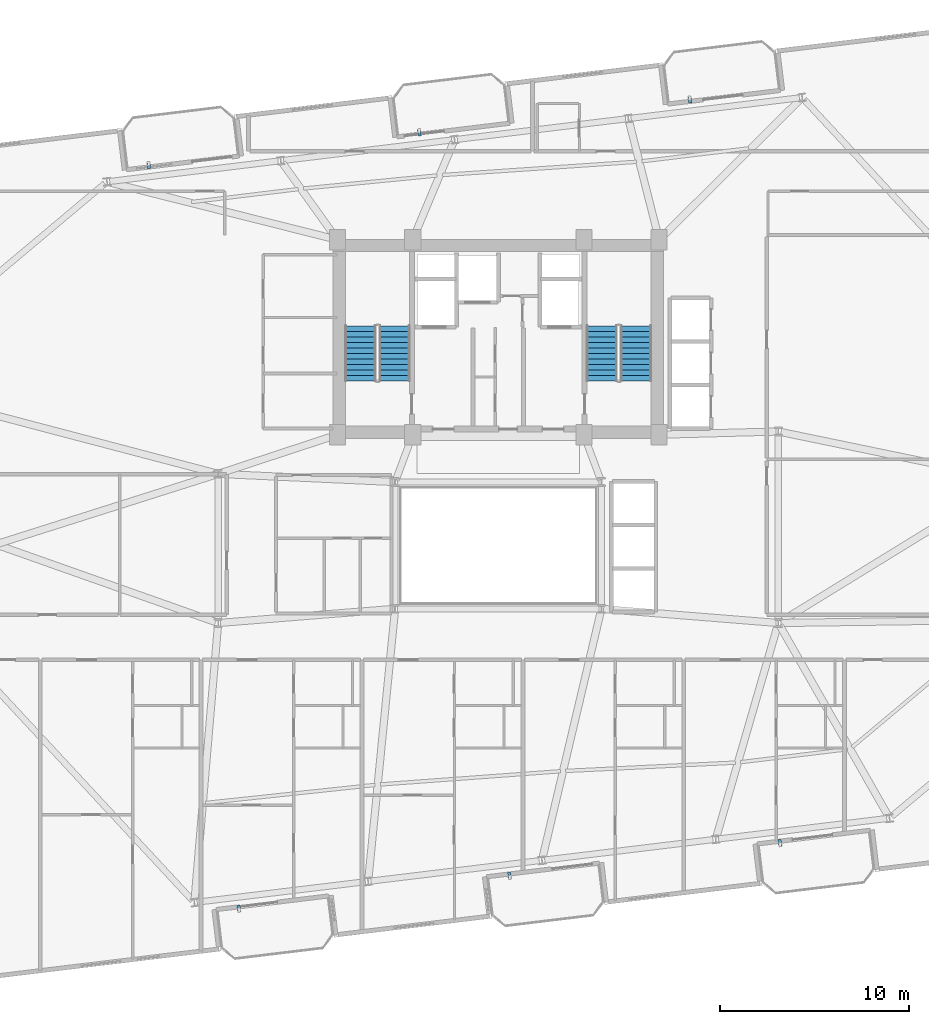
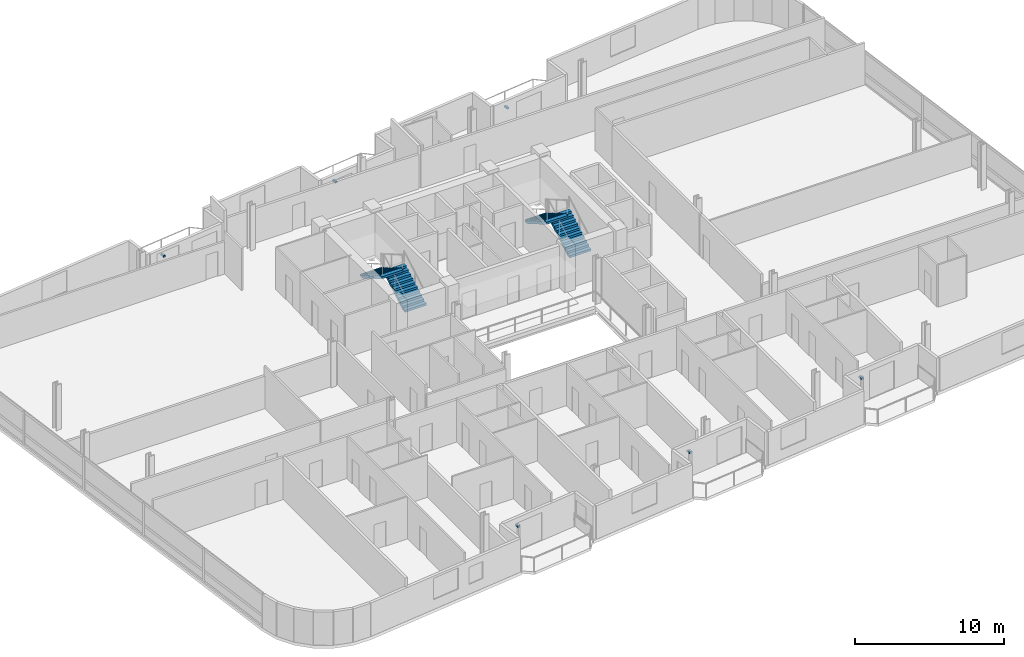
# One storey, part 19 of 23: 6 discrete accessories, 4 stair flights, 2 elements without a shape of their own.
"""IFC4 building model written with IfcOpenShell, lengths in metres."""

from ifc_helpers import new_model, si_unit, direction, frame, origin, origin_2d, place, context, subcontext, project, spatial, polyline, rectangle, outline, extrude, source, transform, mapped, material, type_object, element, aggregate, save


model = new_model("IFC4")

# Units and contexts
model_context = context("Model", 3, precision=1e-05, world=origin(), true_north=direction((0.0, 1.0)))
body_context = subcontext(model_context, "Body", "Model", "MODEL_VIEW")
ifc_project = project(units=[si_unit("LENGTHUNIT", "METRE"), si_unit("AREAUNIT", "SQUARE_METRE"), si_unit("VOLUMEUNIT", "CUBIC_METRE"), si_unit("PLANEANGLEUNIT", "RADIAN"), si_unit("MASSUNIT", "GRAM", prefix="KILO")], contexts=[model_context])

# Site, building, storey
site_placement = place(None, origin())
site = spatial("IfcSite", under=ifc_project, at=site_placement, CompositionType="ELEMENT")
building_placement = place(site_placement, origin())
building = spatial("IfcBuilding", under=site, at=building_placement, Name="Varnelok Gate Tower", CompositionType="ELEMENT")
storey_placement = place(building_placement, frame((0.0, 0.0, 189.39990234375)))
storey = spatial("IfcBuildingStorey", under=building, at=storey_placement, Name="L48", CompositionType="ELEMENT", Elevation=189.39990234375)

# Stair, stair flights
ifc_material_1 = material(Name="Concrete C50/60", Category="concrete")
stair_type = type_object("IfcStairType", Name="STR-CORE-1650", PredefinedType="HALF_TURN_STAIR", material=ifc_material_1)
stair_1_placement = place(storey_placement, origin())
stair_1 = element("IfcStair", 1, at=stair_1_placement, inside=storey, type_object=stair_type, Name="L48 Exit Stair ST-1", PredefinedType="HALF_TURN_STAIR")
stair_flight_type = type_object("IfcStairFlightType", Name="SFL-CORE-1650", PredefinedType="STRAIGHT", material=ifc_material_1)
stair_flight_1_placement = place(storey_placement, frame((33.72509765625, 31.60009765625, 0.0), z_axis=(0.0, 0.0, 1.0), x_axis=(0.0, 1.0, 0.0)))
stair_flight_1 = element("IfcStairFlight", 2, at=stair_flight_1_placement, type_object=stair_flight_type, Name="ST-1 flight 1", NumberOfRisers=11, NumberOfTreads=10, PredefinedType="STRAIGHT", RiserHeight=0.168181818, TreadLength=0.29, context=body_context, shape_type="SweptSolid", body=[
    extrude(outline(polyline([(0.0, 0.0), (0.0, 0.168212890625), (0.2900390625, 0.168212890625), (0.2900390625, 0.33642578125), (0.580078125, 0.33642578125), (0.580078125, 0.504638671875), (0.8701171875, 0.504638671875), (0.8701171875, 0.672607421875), (1.159912109375, 0.672607421875), (1.159912109375, 0.8408203125), (1.449951171875, 0.8408203125), (1.449951171875, 1.009033203125), (1.739990234375, 1.009033203125), (1.739990234375, 1.17724609375), (2.030029296875, 1.17724609375), (2.030029296875, 1.345458984375), (2.320068359375, 1.345458984375), (2.320068359375, 1.513671875), (2.610107421875, 1.513671875), (2.610107421875, 1.681884765625), (2.89990234375, 1.681884765625), (2.89990234375, 1.85009765625), (2.89990234375, 1.508544921875), (0.298828125, 0.0), (0.0, 0.0)])), frame((0.0, 0.824951171875, 0.0), z_axis=(0.0, -1.0, 0.0), x_axis=(1.0, 0.0, 0.0)), (0.0, 0.0, 1.0), 1.64990234375),
])
stair_flight_2_placement = place(storey_placement, frame((31.925048828125, 34.5, 1.85009765625), z_axis=(0.0, 0.0, 1.0), x_axis=(0.0, -1.0, 0.0)))
stair_flight_2 = element("IfcStairFlight", 3, at=stair_flight_2_placement, type_object=stair_flight_type, Name="ST-1 flight 2", NumberOfRisers=11, NumberOfTreads=10, PredefinedType="STRAIGHT", RiserHeight=0.168181818, TreadLength=0.29, context=body_context, shape_type="SweptSolid", body=[
    extrude(outline(polyline([(0.0, 0.0), (0.0, 0.168212890625), (0.2900390625, 0.168212890625), (0.2900390625, 0.33642578125), (0.580078125, 0.33642578125), (0.580078125, 0.504638671875), (0.8701171875, 0.504638671875), (0.8701171875, 0.672607421875), (1.159912109375, 0.672607421875), (1.159912109375, 0.8408203125), (1.449951171875, 0.8408203125), (1.449951171875, 1.009033203125), (1.739990234375, 1.009033203125), (1.739990234375, 1.17724609375), (2.030029296875, 1.17724609375), (2.030029296875, 1.345458984375), (2.320068359375, 1.345458984375), (2.320068359375, 1.513671875), (2.610107421875, 1.513671875), (2.610107421875, 1.681884765625), (2.89990234375, 1.681884765625), (2.89990234375, 1.85009765625), (2.89990234375, 1.508544921875), (0.298828125, 0.0), (0.0, 0.0)])), frame((0.0, 0.824951171875, 0.0), z_axis=(0.0, -1.0, 0.0), x_axis=(1.0, 0.0, 0.0)), (0.0, 0.0, 1.0), 1.64990234375),
])
aggregate(stair_1, [stair_flight_1, stair_flight_2])

stair_2_placement = place(storey_placement, origin())
stair_2 = element("IfcStair", 4, at=stair_2_placement, inside=storey, type_object=stair_type, Name="L48 Exit Stair ST-2", PredefinedType="HALF_TURN_STAIR")
stair_flight_3_placement = place(storey_placement, frame((46.47509765625, 31.60009765625, 0.0), z_axis=(0.0, 0.0, 1.0), x_axis=(0.0, 1.0, 0.0)))
stair_flight_3 = element("IfcStairFlight", 5, at=stair_flight_3_placement, type_object=stair_flight_type, Name="ST-2 flight 1", NumberOfRisers=11, NumberOfTreads=10, PredefinedType="STRAIGHT", RiserHeight=0.168181818, TreadLength=0.29, context=body_context, shape_type="SweptSolid", body=[
    extrude(outline(polyline([(0.0, 0.0), (0.0, 0.168212890625), (0.2900390625, 0.168212890625), (0.2900390625, 0.33642578125), (0.580078125, 0.33642578125), (0.580078125, 0.504638671875), (0.8701171875, 0.504638671875), (0.8701171875, 0.672607421875), (1.159912109375, 0.672607421875), (1.159912109375, 0.8408203125), (1.449951171875, 0.8408203125), (1.449951171875, 1.009033203125), (1.739990234375, 1.009033203125), (1.739990234375, 1.17724609375), (2.030029296875, 1.17724609375), (2.030029296875, 1.345458984375), (2.320068359375, 1.345458984375), (2.320068359375, 1.513671875), (2.610107421875, 1.513671875), (2.610107421875, 1.681884765625), (2.89990234375, 1.681884765625), (2.89990234375, 1.85009765625), (2.89990234375, 1.508544921875), (0.298828125, 0.0), (0.0, 0.0)])), frame((0.0, 0.824951171875, 0.0), z_axis=(0.0, -1.0, 0.0), x_axis=(1.0, 0.0, 0.0)), (0.0, 0.0, 1.0), 1.64990234375),
])
stair_flight_4_placement = place(storey_placement, frame((44.675048828125, 34.5, 1.85009765625), z_axis=(0.0, 0.0, 1.0), x_axis=(0.0, -1.0, 0.0)))
stair_flight_4 = element("IfcStairFlight", 6, at=stair_flight_4_placement, type_object=stair_flight_type, Name="ST-2 flight 2", NumberOfRisers=11, NumberOfTreads=10, PredefinedType="STRAIGHT", RiserHeight=0.168181818, TreadLength=0.29, context=body_context, shape_type="SweptSolid", body=[
    extrude(outline(polyline([(0.0, 0.0), (0.0, 0.168212890625), (0.2900390625, 0.168212890625), (0.2900390625, 0.33642578125), (0.580078125, 0.33642578125), (0.580078125, 0.504638671875), (0.8701171875, 0.504638671875), (0.8701171875, 0.672607421875), (1.159912109375, 0.672607421875), (1.159912109375, 0.8408203125), (1.449951171875, 0.8408203125), (1.449951171875, 1.009033203125), (1.739990234375, 1.009033203125), (1.739990234375, 1.17724609375), (2.030029296875, 1.17724609375), (2.030029296875, 1.345458984375), (2.320068359375, 1.345458984375), (2.320068359375, 1.513671875), (2.610107421875, 1.513671875), (2.610107421875, 1.681884765625), (2.89990234375, 1.681884765625), (2.89990234375, 1.85009765625), (2.89990234375, 1.508544921875), (0.298828125, 0.0), (0.0, 0.0)])), frame((0.0, 0.824951171875, 0.0), z_axis=(0.0, -1.0, 0.0), x_axis=(1.0, 0.0, 0.0)), (0.0, 0.0, 1.0), 1.64990234375),
])
aggregate(stair_2, [stair_flight_3, stair_flight_4])

# Discrete accessories
ifc_material_2 = material(Name="Structural Steel ASTM A500 Grade C", Category="steel")
discrete_accessory_type = type_object("IfcDiscreteAccessoryType", Name="ACC-BAGUETTE-BRK", PredefinedType="BRACKET", material=ifc_material_2)
shared_shape = source(origin(), body_context, "Body", "SweptSolid", [
    extrude(rectangle(XDim=0.159912109375, YDim=0.340087890625, at=origin_2d()), origin(), (0.0, 0.0, 1.0), 0.139892578125),
])
for number, where, z_axis, x_axis, name in (
    (7, (25.4970703125, 3.72412109375, 1.97998046875), (0.0, 0.0, 1.0), (0.992732158755, 0.12034475881, 0.0), "L48 Terracotta Baguette Bracket 1.1"),
    (8, (39.792236328125, 5.45703125, 1.97998046875), (0.0, 0.0, 1.0), (0.992732158755, 0.12034475881, 0.0), "L48 Terracotta Baguette Bracket 2.1"),
    (9, (54.087646484375, 7.18994140625, 1.97998046875), (0.0, 0.0, 1.0), (0.992732158755, 0.12034475881, 0.0), "L48 Terracotta Baguette Bracket 3.1"),
    (10, (20.738525390625, 42.976806640625, 1.97998046875), (0.0, 0.0, 1.0), (0.992732158755, 0.12034475881, 0.0), "L48 Terracotta Baguette Bracket 4.1"),
    (11, (35.033935546875, 44.709716796875, 1.97998046875), (0.0, 0.0, 1.0), (0.992732158755, 0.12034475881, 0.0), "L48 Terracotta Baguette Bracket 5.1"),
    (12, (49.3291015625, 46.442626953125, 1.97998046875), (0.0, 0.0, 1.0), (0.992732158755, 0.12034475881, 0.0), "L48 Terracotta Baguette Bracket 6.1"),
):
    element("IfcDiscreteAccessory", number, at=place(storey_placement, frame(where, z_axis=z_axis, x_axis=x_axis)), inside=storey, type_object=discrete_accessory_type, Name=name, PredefinedType="BRACKET", context=body_context, shape_type="MappedRepresentation", body=[
        mapped(shared_shape, transform((0.0, 0.0, 0.0), scale=1.0)),
    ])

save(model, "model.ifc")
